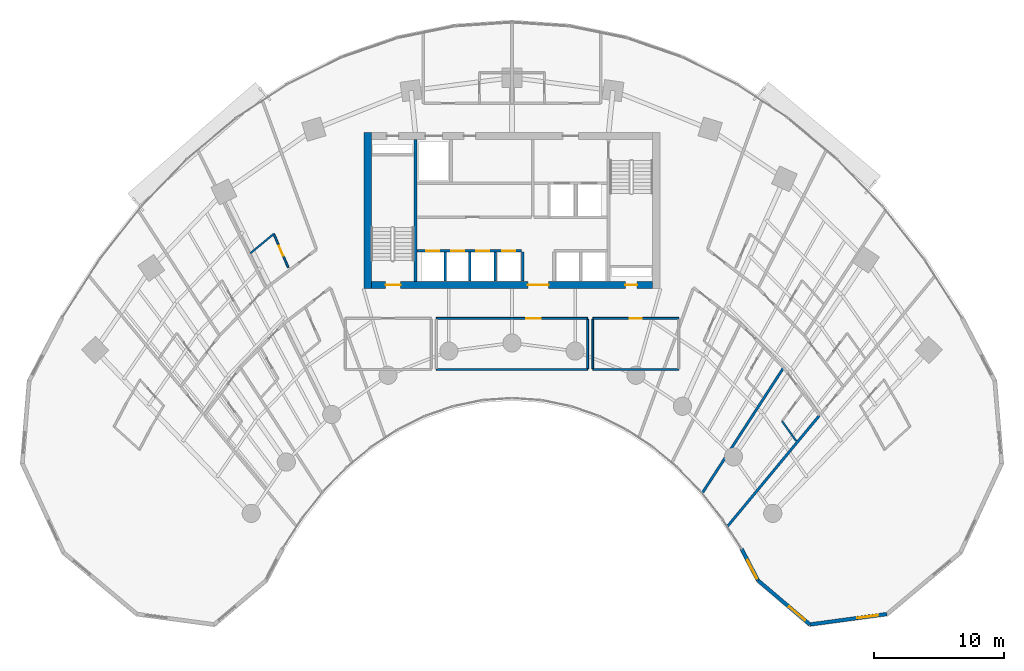
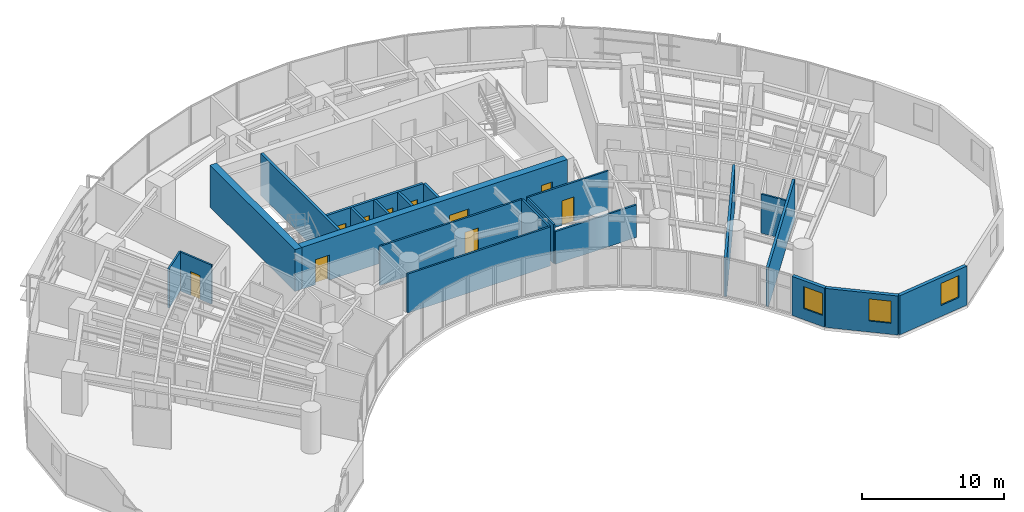
# One storey, part 12 of 18: 22 walls, 10 doors, 3 windows, 13 openings.
"""IFC4 building model written with IfcOpenShell, lengths in metres."""

from ifc_helpers import new_model, si_unit, direction, frame, frame_2d, origin, place, context, subcontext, project, spatial, rectangle, extrude, source, transform, mapped, material, layer, layer_set, type_object, type_shapes, element, fill, save


model = new_model("IFC4")

# Units and contexts
model_context = context("Model", 3, precision=1e-05, world=origin(), true_north=direction((0.0, 1.0)))
body_context = subcontext(model_context, "Body", "Model", "MODEL_VIEW")
ifc_project = project(units=[si_unit("LENGTHUNIT", "METRE"), si_unit("AREAUNIT", "SQUARE_METRE"), si_unit("VOLUMEUNIT", "CUBIC_METRE"), si_unit("PLANEANGLEUNIT", "RADIAN"), si_unit("MASSUNIT", "GRAM", prefix="KILO")], contexts=[model_context])

# Site, building, storey
site_placement = place(None, origin())
site = spatial("IfcSite", under=ifc_project, at=site_placement, CompositionType="ELEMENT")
building_placement = place(site_placement, origin())
building = spatial("IfcBuilding", under=site, at=building_placement, Name="Breltana Convention Tower", CompositionType="ELEMENT")
storey_placement = place(building_placement, frame((0.0, 0.0, 35.39990234375)))
storey = spatial("IfcBuildingStorey", under=building, at=storey_placement, Name="L06", CompositionType="ELEMENT", Elevation=35.39990234375)

# Wall
ifc_material_1 = material(Name="Concrete C60/75", Category="concrete")
ifc_layer_1 = layer(ifc_material_1, 0.550048828125, Name="Concrete C60/75")
ifc_layer_set_1 = layer_set([ifc_layer_1], Name="Concrete C60/75")
wall_type_1 = type_object("IfcWallType", Name="SW-CORE-550", PredefinedType="SHEAR", material=ifc_layer_set_1)
shared_shape_1 = source(origin(), body_context, "Body", "SweptSolid", [
    extrude(rectangle(XDim=12.0, YDim=0.550048828125, at=frame_2d((6.0, 0.0))), origin(), (0.0, 0.0, 1.0), 3.60009765625),
])
wall_1_placement = place(storey_placement, frame((36.925048828125, 60.199951171875, 0.0), z_axis=(0.0, 0.0, 1.0), x_axis=(0.0, 1.0, 0.0)))
element("IfcWall", 1, at=wall_1_placement, inside=storey, type_object=wall_type_1, Name="L06 West Core Shear Wall", PredefinedType="SHEAR", context=body_context, shape_type="MappedRepresentation", body=[
    mapped(shared_shape_1, transform((0.0, 0.0, 0.0), scale=1.0)),
])

# Wall, openings, doors
shared_shape_2 = source(origin(), body_context, "Body", "SweptSolid", [
    extrude(rectangle(XDim=21.60009765625, YDim=0.550048828125, at=frame_2d((10.800048828125, 0.0))), origin(), (0.0, 0.0, 1.0), 3.60009765625),
])
wall_2_placement = place(storey_placement, frame((37.199951171875, 60.47509765625, 0.0), z_axis=(0.0, 0.0, 1.0), x_axis=(1.0, 0.0, 0.0)))
wall_2 = element("IfcWall", 2, at=wall_2_placement, inside=storey, type_object=wall_type_1, Name="L06 South Core Shear Wall", PredefinedType="SHEAR", context=body_context, shape_type="MappedRepresentation", body=[
    mapped(shared_shape_2, transform((0.0, 0.0, 0.0), scale=1.0)),
])
opening_1_placement = place(wall_2_placement, frame((1.10009765625, 0.0, 0.0)))
opening_1 = element("IfcOpeningElement", 3, at=opening_1_placement, cuts=wall_2, Name="Opening D-11", PredefinedType="OPENING", context=body_context, shape_type="SweptSolid", body=[
    extrude(rectangle(XDim=1.14990234375, YDim=2.14990234375, at=frame_2d((0.574951171875, 1.074951171875))), frame((0.0, 0.28515625, 0.0), z_axis=(0.0, -1.0, 0.0), x_axis=(1.0, 0.0, 0.0)), (0.0, 0.0, 1.0), 0.570068359375),
])
opening_2_placement = place(wall_2_placement, frame((19.5, 0.0, 0.0)))
opening_2 = element("IfcOpeningElement", 4, at=opening_2_placement, cuts=wall_2, Name="Opening D-18", PredefinedType="OPENING", context=body_context, shape_type="SweptSolid", body=[
    extrude(rectangle(XDim=0.89990234375, YDim=2.10009765625, at=frame_2d((0.449951171875, 1.050048828125))), frame((0.0, 0.28515625, 0.0), z_axis=(0.0, -1.0, 0.0), x_axis=(1.0, 0.0, 0.0)), (0.0, 0.0, 1.0), 0.570068359375),
])
opening_3_placement = place(wall_2_placement, frame((12.02001953125, 0.0, 0.0)))
opening_3 = element("IfcOpeningElement", 5, at=opening_3_placement, cuts=wall_2, Name="Opening D-02", PredefinedType="OPENING", context=body_context, shape_type="SweptSolid", body=[
    extrude(rectangle(XDim=1.60009765625, YDim=2.14990234375, at=frame_2d((0.800048828125, 1.074951171875))), frame((0.0, 0.28515625, 0.0), z_axis=(0.0, -1.0, 0.0), x_axis=(1.0, 0.0, 0.0)), (0.0, 0.0, 1.0), 0.570068359375),
])
ifc_material_2 = material(Name="Steel Stair Exit Door", Category="steel")
door_type_1 = type_object("IfcDoorType", Name="DR-FD120-1150", OperationType="NOTDEFINED", PredefinedType="DOOR", material=ifc_material_2)
shared_shape_3 = source(origin(), body_context, "Body", "SweptSolid", [
    extrude(rectangle(XDim=1.14990234375, YDim=2.14990234375, at=frame_2d((0.574951171875, 1.074951171875))), frame((0.0, 0.02490234375, 0.0), z_axis=(0.0, -1.0, 0.0), x_axis=(1.0, 0.0, 0.0)), (0.0, 0.0, 1.0), 0.050048828125),
])
type_shapes(door_type_1, [shared_shape_3])
door_1_placement = place(opening_1_placement, origin())
door_1 = element("IfcDoor", 6, at=door_1_placement, inside=storey, type_object=door_type_1, Name="L06 interior door D-L06-ST1", OperationType="SINGLE_SWING_LEFT", OverallHeight=2.14990234375, OverallWidth=1.14990234375, PredefinedType="DOOR", context=body_context, shape_type="MappedRepresentation", body=[
    mapped(shared_shape_3, transform((0.0, 0.0, 0.0), scale=1.0)),
])
fill(opening_1, door_1)
ifc_material_3 = material(Name="Steel Riser Fire Door", Category="steel")
door_type_2 = type_object("IfcDoorType", Name="DR-FD60-900", OperationType="NOTDEFINED", PredefinedType="DOOR", material=ifc_material_3)
shared_shape_4 = source(origin(), body_context, "Body", "SweptSolid", [
    extrude(rectangle(XDim=0.89990234375, YDim=2.10009765625, at=frame_2d((0.449951171875, 1.050048828125))), frame((0.0, 0.02490234375, 0.0), z_axis=(0.0, -1.0, 0.0), x_axis=(1.0, 0.0, 0.0)), (0.0, 0.0, 1.0), 0.050048828125),
])
type_shapes(door_type_2, [shared_shape_4])
door_2_placement = place(opening_2_placement, origin())
door_2 = element("IfcDoor", 7, at=door_2_placement, inside=storey, type_object=door_type_2, Name="L06 Core Riser Access Door D-L06-RS2", OperationType="SINGLE_SWING_RIGHT", OverallHeight=2.10009765625, OverallWidth=0.89990234375, PredefinedType="DOOR", context=body_context, shape_type="MappedRepresentation", body=[
    mapped(shared_shape_4, transform((0.0, 0.0, 0.0), scale=1.0)),
])
fill(opening_2, door_2)
ifc_material_4 = material(Name="Steel Glazed Smoke-Control Door", Category="steel")
door_type_3 = type_object("IfcDoorType", Name="DR-DBL-FD90-1600", OperationType="DOUBLE_DOOR_SINGLE_SWING", PredefinedType="DOOR", material=ifc_material_4)
shared_shape_5 = source(origin(), body_context, "Body", "SweptSolid", [
    extrude(rectangle(XDim=1.60009765625, YDim=2.14990234375, at=frame_2d((0.800048828125, 1.074951171875))), frame((0.0, 0.02490234375, 0.0), z_axis=(0.0, -1.0, 0.0), x_axis=(1.0, 0.0, 0.0)), (0.0, 0.0, 1.0), 0.050048828125),
])
type_shapes(door_type_3, [shared_shape_5])
door_3_placement = place(opening_3_placement, origin())
door_3 = element("IfcDoor", 8, at=door_3_placement, inside=storey, type_object=door_type_3, Name="L06 interior door D-L06-LLB-S", OperationType="DOUBLE_DOOR_SINGLE_SWING", OverallHeight=2.14990234375, OverallWidth=1.60009765625, PredefinedType="DOOR", context=body_context, shape_type="MappedRepresentation", body=[
    mapped(shared_shape_5, transform((0.0, 0.0, 0.0), scale=1.0)),
])
fill(opening_3, door_3)

# Wall
ifc_material_5 = material(Name="Concrete C50/60", Category="concrete")
ifc_layer_2 = layer(ifc_material_5, 0.39990234375, Name="Concrete C50/60")
ifc_layer_set_2 = layer_set([ifc_layer_2], Name="Concrete C50/60")
wall_type_2 = type_object("IfcWallType", Name="SW-CORE-400", PredefinedType="SHEAR", material=ifc_layer_set_2)
shared_shape_6 = source(origin(), body_context, "Body", "SweptSolid", [
    extrude(rectangle(XDim=10.89990234375, YDim=0.219970703125, at=frame_2d((5.449951171875, 0.0))), origin(), (0.0, 0.0, 1.0), 3.60009765625),
])
wall_3_placement = place(storey_placement, frame((40.580078125, 60.75, 0.0), z_axis=(0.0, 0.0, 1.0), x_axis=(0.0, 1.0, 0.0)))
element("IfcWall", 9, at=wall_3_placement, inside=storey, type_object=wall_type_2, Name="L06 Core West Stair Spine Wall", PredefinedType="SHEAR", context=body_context, shape_type="MappedRepresentation", body=[
    mapped(shared_shape_6, transform((0.0, 0.0, 0.0), scale=1.0)),
])

# Wall, opening, window
ifc_material_6 = material(Name="Limestone Buff Insulated Wall", Category="masonry")
ifc_layer_3 = layer(ifc_material_6, 0.280029296875, Name="Limestone Buff Insulated Wall")
ifc_layer_set_3 = layer_set([ifc_layer_3], Name="Limestone Buff Insulated Wall")
wall_type_3 = type_object("IfcWallType", Name="WL-EXT-NOSE-280", PredefinedType="SOLIDWALL", material=ifc_layer_set_3)
shared_shape_7 = source(origin(), body_context, "Body", "SweptSolid", [
    extrude(rectangle(XDim=5.96728515625, YDim=0.280029296875, at=frame_2d((2.983642578125, 0.0))), origin(), (0.0, 0.0, 1.0), 3.360107421875),
])
wall_4_placement = place(storey_placement, frame((76.77734375, 35.226806640625, 0.0), z_axis=(0.0, 0.0, 1.0), x_axis=(-0.990927009341, -0.134401124099, 0.0)))
wall_4 = element("IfcWall", 10, at=wall_4_placement, inside=storey, type_object=wall_type_3, Name="L06 curved limestone nose wall E4", PredefinedType="SOLIDWALL", context=body_context, shape_type="MappedRepresentation", body=[
    mapped(shared_shape_7, transform((0.0, 0.0, 0.0), scale=1.0)),
])
opening_4_placement = place(wall_4_placement, frame((0.69189453125, 0.0, 0.949951171875)))
opening_4 = element("IfcOpeningElement", 11, at=opening_4_placement, cuts=wall_4, Name="Opening W-04", PredefinedType="OPENING", context=body_context, shape_type="SweptSolid", body=[
    extrude(rectangle(XDim=1.60009765625, YDim=1.89990234375, at=frame_2d((0.800048828125, 0.949951171875))), frame((0.0, 0.14990234375, 0.0), z_axis=(0.0, -1.0, 0.0), x_axis=(1.0, 0.0, 0.0)), (0.0, 0.0, 1.0), 0.300048828125),
])
ifc_material_7 = material(Name="Glass Low-E Insulated Window", Category="glass")
window_type = type_object("IfcWindowType", Name="WN-NOSE-1600X1900", PartitioningType="SINGLE_PANEL", PredefinedType="WINDOW", material=ifc_material_7)
shared_shape_8 = source(origin(), body_context, "Body", "SweptSolid", [
    extrude(rectangle(XDim=1.60009765625, YDim=1.89990234375, at=frame_2d((0.800048828125, 0.949951171875))), frame((0.0, 0.030029296875, 0.0), z_axis=(0.0, -1.0, 0.0), x_axis=(1.0, 0.0, 0.0)), (0.0, 0.0, 1.0), 0.06005859375),
])
type_shapes(window_type, [shared_shape_8])
window_1_placement = place(opening_4_placement, origin())
window_1 = element("IfcWindow", 12, at=window_1_placement, inside=storey, type_object=window_type, Name="L06 nose window E4", OverallHeight=1.89990234375, OverallWidth=1.60009765625, PartitioningType="SINGLE_PANEL", PredefinedType="WINDOW", context=body_context, shape_type="MappedRepresentation", body=[
    mapped(shared_shape_8, transform((0.0, 0.0, 0.0), scale=1.0)),
])
fill(opening_4, window_1)

shared_shape_9 = source(origin(), body_context, "Body", "SweptSolid", [
    extrude(rectangle(XDim=5.222412109375, YDim=0.280029296875, at=frame_2d((2.611328125, 0.0))), origin(), (0.0, 0.0, 1.0), 3.360107421875),
])
wall_5_placement = place(storey_placement, frame((70.8642578125, 34.4248046875, 0.0), z_axis=(0.0, 0.0, 1.0), x_axis=(-0.761900099546, 0.647694556339, 0.0)))
wall_5 = element("IfcWall", 13, at=wall_5_placement, inside=storey, type_object=wall_type_3, Name="L06 curved limestone nose wall E5", PredefinedType="SOLIDWALL", context=body_context, shape_type="MappedRepresentation", body=[
    mapped(shared_shape_9, transform((0.0, 0.0, 0.0), scale=1.0)),
])
opening_5_placement = place(wall_5_placement, frame((0.505615234375, 0.0, 0.949951171875)))
opening_5 = element("IfcOpeningElement", 14, at=opening_5_placement, cuts=wall_5, Name="Opening W-04", PredefinedType="OPENING", context=body_context, shape_type="SweptSolid", body=[
    extrude(rectangle(XDim=1.60009765625, YDim=1.89990234375, at=frame_2d((0.800048828125, 0.949951171875))), frame((0.0, 0.14990234375, 0.0), z_axis=(0.0, -1.0, 0.0), x_axis=(1.0, 0.0, 0.0)), (0.0, 0.0, 1.0), 0.300048828125),
])
window_2_placement = place(opening_5_placement, origin())
window_2 = element("IfcWindow", 15, at=window_2_placement, inside=storey, type_object=window_type, Name="L06 nose window E5", OverallHeight=1.89990234375, OverallWidth=1.60009765625, PartitioningType="SINGLE_PANEL", PredefinedType="WINDOW", context=body_context, shape_type="MappedRepresentation", body=[
    mapped(shared_shape_8, transform((0.0, 0.0, 0.0), scale=1.0)),
])
fill(opening_5, window_2)

shared_shape_10 = source(origin(), body_context, "Body", "SweptSolid", [
    extrude(rectangle(XDim=2.7353515625, YDim=0.280029296875, at=frame_2d((1.36767578125, 0.0))), origin(), (0.0, 0.0, 1.0), 3.360107421875),
])
wall_6_placement = place(storey_placement, frame((66.88525390625, 37.807373046875, 0.0), z_axis=(0.0, 0.0, 1.0), x_axis=(-0.46179107292, 0.886988728774, 0.0)))
wall_6 = element("IfcWall", 16, at=wall_6_placement, inside=storey, type_object=wall_type_3, Name="L06 curved limestone nose wall E6", PredefinedType="SOLIDWALL", context=body_context, shape_type="MappedRepresentation", body=[
    mapped(shared_shape_10, transform((0.0, 0.0, 0.0), scale=1.0)),
])
opening_6_placement = place(wall_6_placement, frame((0.159912109375, 0.0, 0.949951171875)))
opening_6 = element("IfcOpeningElement", 17, at=opening_6_placement, cuts=wall_6, Name="Opening W-04", PredefinedType="OPENING", context=body_context, shape_type="SweptSolid", body=[
    extrude(rectangle(XDim=1.60009765625, YDim=1.89990234375, at=frame_2d((0.800048828125, 0.949951171875))), frame((0.0, 0.14990234375, 0.0), z_axis=(0.0, -1.0, 0.0), x_axis=(1.0, 0.0, 0.0)), (0.0, 0.0, 1.0), 0.300048828125),
])
window_3_placement = place(opening_6_placement, origin())
window_3 = element("IfcWindow", 18, at=window_3_placement, inside=storey, type_object=window_type, Name="L06 nose window E6", OverallHeight=1.89990234375, OverallWidth=1.60009765625, PartitioningType="SINGLE_PANEL", PredefinedType="WINDOW", context=body_context, shape_type="MappedRepresentation", body=[
    mapped(shared_shape_8, transform((0.0, 0.0, 0.0), scale=1.0)),
])
fill(opening_6, window_3)

# Wall
ifc_material_8 = material(Name="Autoclaved Aerated Concrete Block", Category="concrete")
ifc_layer_4 = layer(ifc_material_8, 0.199951171875, Name="Autoclaved Aerated Concrete Block")
ifc_layer_set_4 = layer_set([ifc_layer_4], Name="Autoclaved Aerated Concrete Block")
wall_type_4 = type_object("IfcWallType", Name="WL-SHAFT-200", PredefinedType="SOLIDWALL", material=ifc_layer_set_4)
shared_shape_11 = source(origin(), body_context, "Body", "SweptSolid", [
    extrude(rectangle(XDim=2.239990234375, YDim=0.199951171875, at=frame_2d((1.1201171875, 0.0))), origin(), (0.0, 0.0, 1.0), 3.360107421875),
])
wall_7_placement = place(storey_placement, frame((48.820068359375, 60.780029296875, 0.0), z_axis=(0.0, 0.0, 1.0), x_axis=(0.0, 1.0, 0.0)))
element("IfcWall", 19, at=wall_7_placement, inside=storey, type_object=wall_type_4, Name="L06 interior partition W-L06-PORT-W", PredefinedType="SOLIDWALL", context=body_context, shape_type="MappedRepresentation", body=[
    mapped(shared_shape_11, transform((0.0, 0.0, 0.0), scale=1.0)),
])

# Wall, openings, doors
shared_shape_12 = source(origin(), body_context, "Body", "SweptSolid", [
    extrude(rectangle(XDim=8.02001953125, YDim=0.199951171875, at=frame_2d((4.010009765625, 0.0))), origin(), (0.0, 0.0, 1.0), 3.360107421875),
])
wall_8_placement = place(storey_placement, frame((40.699951171875, 63.10009765625, 0.0), z_axis=(0.0, 0.0, 1.0), x_axis=(1.0, 0.0, 0.0)))
wall_8 = element("IfcWall", 20, at=wall_8_placement, inside=storey, type_object=wall_type_4, Name="L06 interior partition W-L06-SH-S-FRONT", PredefinedType="SOLIDWALL", context=body_context, shape_type="MappedRepresentation", body=[
    mapped(shared_shape_12, transform((0.0, 0.0, 0.0), scale=1.0)),
])
opening_7_placement = place(wall_8_placement, frame((0.719970703125, 0.0, 0.0)))
opening_7 = element("IfcOpeningElement", 21, at=opening_7_placement, cuts=wall_8, Name="Opening LD-04", PredefinedType="OPENING", context=body_context, shape_type="SweptSolid", body=[
    extrude(rectangle(XDim=1.0, YDim=2.14990234375, at=frame_2d((0.5, 1.074951171875))), frame((0.0, 0.10986328125, 0.0), z_axis=(0.0, -1.0, 0.0), x_axis=(1.0, 0.0, 0.0)), (0.0, 0.0, 1.0), 0.219970703125),
])
opening_8_placement = place(wall_8_placement, frame((2.6201171875, 0.0, 0.0)))
opening_8 = element("IfcOpeningElement", 22, at=opening_8_placement, cuts=wall_8, Name="Opening LD-04", PredefinedType="OPENING", context=body_context, shape_type="SweptSolid", body=[
    extrude(rectangle(XDim=1.0, YDim=2.14990234375, at=frame_2d((0.5, 1.074951171875))), frame((0.0, 0.10986328125, 0.0), z_axis=(0.0, -1.0, 0.0), x_axis=(1.0, 0.0, 0.0)), (0.0, 0.0, 1.0), 0.219970703125),
])
opening_9_placement = place(wall_8_placement, frame((4.550048828125, 0.0, 0.0)))
opening_9 = element("IfcOpeningElement", 23, at=opening_9_placement, cuts=wall_8, Name="Opening LD-04", PredefinedType="OPENING", context=body_context, shape_type="SweptSolid", body=[
    extrude(rectangle(XDim=1.0, YDim=2.14990234375, at=frame_2d((0.5, 1.074951171875))), frame((0.0, 0.10986328125, 0.0), z_axis=(0.0, -1.0, 0.0), x_axis=(1.0, 0.0, 0.0)), (0.0, 0.0, 1.0), 0.219970703125),
])
opening_10_placement = place(wall_8_placement, frame((6.550048828125, 0.0, 0.0)))
opening_10 = element("IfcOpeningElement", 24, at=opening_10_placement, cuts=wall_8, Name="Opening LD-04", PredefinedType="OPENING", context=body_context, shape_type="SweptSolid", body=[
    extrude(rectangle(XDim=1.0, YDim=2.14990234375, at=frame_2d((0.5, 1.074951171875))), frame((0.0, 0.10986328125, 0.0), z_axis=(0.0, -1.0, 0.0), x_axis=(1.0, 0.0, 0.0)), (0.0, 0.0, 1.0), 0.219970703125),
])
ifc_material_9 = material(Name="Stainless Steel Brushed", Category="steel")
door_type_4 = type_object("IfcDoorType", Name="DR-LD-PAX-1000", OperationType="DOUBLE_DOOR_SLIDING", PredefinedType="DOOR", material=ifc_material_9)
shared_shape_13 = source(origin(), body_context, "Body", "SweptSolid", [
    extrude(rectangle(XDim=1.0, YDim=2.14990234375, at=frame_2d((0.5, 1.074951171875))), frame((0.0, 0.02490234375, 0.0), z_axis=(0.0, -1.0, 0.0), x_axis=(1.0, 0.0, 0.0)), (0.0, 0.0, 1.0), 0.050048828125),
])
type_shapes(door_type_4, [shared_shape_13])
door_4_placement = place(opening_7_placement, origin())
door_4 = element("IfcDoor", 25, at=door_4_placement, inside=storey, type_object=door_type_4, Name="L06 Lift Landing Door D-L06-LD-S1", OperationType="DOUBLE_DOOR_SLIDING", OverallHeight=2.14990234375, OverallWidth=1.0, PredefinedType="DOOR", context=body_context, shape_type="MappedRepresentation", body=[
    mapped(shared_shape_13, transform((0.0, 0.0, 0.0), scale=1.0)),
])
fill(opening_7, door_4)
door_5_placement = place(opening_8_placement, origin())
door_5 = element("IfcDoor", 26, at=door_5_placement, inside=storey, type_object=door_type_4, Name="L06 Lift Landing Door D-L06-LD-S2", OperationType="DOUBLE_DOOR_SLIDING", OverallHeight=2.14990234375, OverallWidth=1.0, PredefinedType="DOOR", context=body_context, shape_type="MappedRepresentation", body=[
    mapped(shared_shape_13, transform((0.0, 0.0, 0.0), scale=1.0)),
])
fill(opening_8, door_5)
door_6_placement = place(opening_9_placement, origin())
door_6 = element("IfcDoor", 27, at=door_6_placement, inside=storey, type_object=door_type_4, Name="L06 Lift Landing Door D-L06-LD-S3", OperationType="DOUBLE_DOOR_SLIDING", OverallHeight=2.14990234375, OverallWidth=1.0, PredefinedType="DOOR", context=body_context, shape_type="MappedRepresentation", body=[
    mapped(shared_shape_13, transform((0.0, 0.0, 0.0), scale=1.0)),
])
fill(opening_9, door_6)
door_7_placement = place(opening_10_placement, origin())
door_7 = element("IfcDoor", 28, at=door_7_placement, inside=storey, type_object=door_type_4, Name="L06 Lift Landing Door D-L06-LD-S4", OperationType="DOUBLE_DOOR_SLIDING", OverallHeight=2.14990234375, OverallWidth=1.0, PredefinedType="DOOR", context=body_context, shape_type="MappedRepresentation", body=[
    mapped(shared_shape_13, transform((0.0, 0.0, 0.0), scale=1.0)),
])
fill(opening_10, door_7)

# Walls
shared_shape_14 = source(origin(), body_context, "Body", "SweptSolid", [
    extrude(rectangle(XDim=2.199951171875, YDim=0.199951171875, at=frame_2d((1.10009765625, 0.0))), origin(), (0.0, 0.0, 1.0), 3.360107421875),
])
for number, where, z_axis, x_axis, name in (
    (29, (42.8701171875, 60.800048828125, 0.0), (0.0, 0.0, 1.0), (0.0, 1.0, 0.0), "L06 interior partition W-L06-SH-S-DIV1"),
    (30, (44.77001953125, 60.800048828125, 0.0), (0.0, 0.0, 1.0), (0.0, 1.0, 0.0), "L06 interior partition W-L06-SH-S-DIV2"),
    (31, (46.699951171875, 60.800048828125, 0.0), (0.0, 0.0, 1.0), (0.0, 1.0, 0.0), "L06 interior partition W-L06-SH-S-DIV3"),
):
    element("IfcWall", number, at=place(storey_placement, frame(where, z_axis=z_axis, x_axis=x_axis)), inside=storey, type_object=wall_type_4, Name=name, PredefinedType="SOLIDWALL", context=body_context, shape_type="MappedRepresentation", body=[
        mapped(shared_shape_14, transform((0.0, 0.0, 0.0), scale=1.0)),
    ])
ifc_material_10 = material(Name="Gypsum Acoustic Drywall Partition")
ifc_layer_5 = layer(ifc_material_10, 0.14990234375, Name="Gypsum Acoustic Drywall Partition")
ifc_layer_set_5 = layer_set([ifc_layer_5], Name="Gypsum Acoustic Drywall Partition")
wall_type_5 = type_object("IfcWallType", Name="WL-PART-150", PredefinedType="PARTITIONING", material=ifc_layer_set_5)
shared_shape_15 = source(origin(), body_context, "Body", "SweptSolid", [
    extrude(rectangle(XDim=6.60009765625, YDim=0.14990234375, at=frame_2d((3.300048828125, 0.0))), origin(), (0.0, 0.0, 1.0), 2.802978515625),
])
wall_9_placement = place(storey_placement, frame((54.199951171875, 54.0, 0.0), z_axis=(0.0, 0.0, 1.0), x_axis=(1.0, 0.0, 0.0)))
element("IfcWall", 32, at=wall_9_placement, inside=storey, type_object=wall_type_5, Name="L06 interior partition W-L06-HMT-S", PredefinedType="PARTITIONING", context=body_context, shape_type="MappedRepresentation", body=[
    mapped(shared_shape_15, transform((0.0, 0.0, 0.0), scale=1.0)),
])

# Wall, opening, door
shared_shape_16 = source(origin(), body_context, "Body", "SweptSolid", [
    extrude(rectangle(XDim=6.60009765625, YDim=0.14990234375, at=frame_2d((3.300048828125, 0.0))), origin(), (0.0, 0.0, 1.0), 3.360107421875),
])
wall_10_placement = place(storey_placement, frame((54.199951171875, 57.919921875, 0.0), z_axis=(0.0, 0.0, 1.0), x_axis=(1.0, 0.0, 0.0)))
wall_10 = element("IfcWall", 33, at=wall_10_placement, inside=storey, type_object=wall_type_5, Name="L06 interior partition W-L06-HMT-N", PredefinedType="PARTITIONING", context=body_context, shape_type="MappedRepresentation", body=[
    mapped(shared_shape_16, transform((0.0, 0.0, 0.0), scale=1.0)),
])
opening_11_placement = place(wall_10_placement, frame((2.824951171875, 0.0, 0.0)))
opening_11 = element("IfcOpeningElement", 34, at=opening_11_placement, cuts=wall_10, Name="Opening D-17", PredefinedType="OPENING", context=body_context, shape_type="SweptSolid", body=[
    extrude(rectangle(XDim=0.949951171875, YDim=2.10009765625, at=frame_2d((0.47509765625, 1.050048828125))), frame((0.0, 0.0849609375, 0.0), z_axis=(0.0, -1.0, 0.0), x_axis=(1.0, 0.0, 0.0)), (0.0, 0.0, 1.0), 0.169921875),
])
ifc_material_11 = material(Name="Timber Oak Veneer Door", Category="wood")
door_type_5 = type_object("IfcDoorType", Name="DR-INT-950", OperationType="NOTDEFINED", PredefinedType="DOOR", material=ifc_material_11)
shared_shape_17 = source(origin(), body_context, "Body", "SweptSolid", [
    extrude(rectangle(XDim=0.949951171875, YDim=2.10009765625, at=frame_2d((0.47509765625, 1.050048828125))), frame((0.0, 0.02490234375, 0.0), z_axis=(0.0, -1.0, 0.0), x_axis=(1.0, 0.0, 0.0)), (0.0, 0.0, 1.0), 0.050048828125),
])
type_shapes(door_type_5, [shared_shape_17])
door_8_placement = place(opening_11_placement, origin())
door_8 = element("IfcDoor", 35, at=door_8_placement, inside=storey, type_object=door_type_5, Name="L06 interior door D-L06-HMT", OperationType="SINGLE_SWING_RIGHT", OverallHeight=2.10009765625, OverallWidth=0.949951171875, PredefinedType="DOOR", context=body_context, shape_type="MappedRepresentation", body=[
    mapped(shared_shape_17, transform((0.0, 0.0, 0.0), scale=1.0)),
])
fill(opening_11, door_8)

# Walls
shared_shape_18 = source(origin(), body_context, "Body", "SweptSolid", [
    extrude(rectangle(XDim=3.78515625, YDim=0.14990234375, at=frame_2d((1.892578125, 0.0))), origin(), (0.0, 0.0, 1.0), 3.360107421875),
])
for number, where, z_axis, x_axis, name in (
    (36, (53.800048828125, 54.0673828125, 0.0), (0.0, 0.0, 1.0), (0.0, 1.0, 0.0), "L06 interior partition W-L06-HLG-E"),
    (37, (54.199951171875, 54.0673828125, 0.0), (0.0, 0.0, 1.0), (0.0, 1.0, 0.0), "L06 interior partition W-L06-HMT-W"),
):
    element("IfcWall", number, at=place(storey_placement, frame(where, z_axis=z_axis, x_axis=x_axis)), inside=storey, type_object=wall_type_5, Name=name, PredefinedType="PARTITIONING", context=body_context, shape_type="MappedRepresentation", body=[
        mapped(shared_shape_18, transform((0.0, 0.0, 0.0), scale=1.0)),
    ])
shared_shape_19 = source(origin(), body_context, "Body", "SweptSolid", [
    extrude(rectangle(XDim=11.60009765625, YDim=0.14990234375, at=frame_2d((5.800048828125, 0.0))), origin(), (0.0, 0.0, 1.0), 3.360107421875),
])
wall_11_placement = place(storey_placement, frame((42.199951171875, 54.0, 0.0), z_axis=(0.0, 0.0, 1.0), x_axis=(1.0, 0.0, 0.0)))
element("IfcWall", 38, at=wall_11_placement, inside=storey, type_object=wall_type_5, Name="L06 interior partition W-L06-HLG-S", PredefinedType="PARTITIONING", context=body_context, shape_type="MappedRepresentation", body=[
    mapped(shared_shape_19, transform((0.0, 0.0, 0.0), scale=1.0)),
])

# Wall, opening, door
wall_12_placement = place(storey_placement, frame((42.199951171875, 57.919921875, 0.0), z_axis=(0.0, 0.0, 1.0), x_axis=(1.0, 0.0, 0.0)))
wall_12 = element("IfcWall", 39, at=wall_12_placement, inside=storey, type_object=wall_type_5, Name="L06 interior partition W-L06-HLG-N", PredefinedType="PARTITIONING", context=body_context, shape_type="MappedRepresentation", body=[
    mapped(shared_shape_19, transform((0.0, 0.0, 0.0), scale=1.0)),
])
opening_12_placement = place(wall_12_placement, frame((6.89990234375, 0.0, 0.0)))
opening_12 = element("IfcOpeningElement", 40, at=opening_12_placement, cuts=wall_12, Name="Opening D-12", PredefinedType="OPENING", context=body_context, shape_type="SweptSolid", body=[
    extrude(rectangle(XDim=1.10009765625, YDim=2.14990234375, at=frame_2d((0.550048828125, 1.074951171875))), frame((0.0, 0.0849609375, 0.0), z_axis=(0.0, -1.0, 0.0), x_axis=(1.0, 0.0, 0.0)), (0.0, 0.0, 1.0), 0.169921875),
])
ifc_material_12 = material(Name="Timber Oak Acoustic Door", Category="wood")
door_type_6 = type_object("IfcDoorType", Name="DR-INT-1100", OperationType="NOTDEFINED", PredefinedType="DOOR", material=ifc_material_12)
shared_shape_20 = source(origin(), body_context, "Body", "SweptSolid", [
    extrude(rectangle(XDim=1.10009765625, YDim=2.14990234375, at=frame_2d((0.550048828125, 1.074951171875))), frame((0.0, 0.02490234375, 0.0), z_axis=(0.0, -1.0, 0.0), x_axis=(1.0, 0.0, 0.0)), (0.0, 0.0, 1.0), 0.050048828125),
])
type_shapes(door_type_6, [shared_shape_20])
door_9_placement = place(opening_12_placement, origin())
door_9 = element("IfcDoor", 41, at=door_9_placement, inside=storey, type_object=door_type_6, Name="L06 interior door D-L06-HLG", OperationType="SINGLE_SWING_LEFT", OverallHeight=2.14990234375, OverallWidth=1.10009765625, PredefinedType="DOOR", context=body_context, shape_type="MappedRepresentation", body=[
    mapped(shared_shape_20, transform((0.0, 0.0, 0.0), scale=1.0)),
])
fill(opening_12, door_9)

# Walls
ifc_material_13 = material(Name="Gypsum Acoustic Hotel Wall")
ifc_layer_6 = layer(ifc_material_13, 0.195068359375, Name="Gypsum Acoustic Hotel Wall")
ifc_layer_set_6 = layer_set([ifc_layer_6], Name="Gypsum Acoustic Hotel Wall")
wall_type_6 = type_object("IfcWallType", Name="WL-HOTEL-200", PredefinedType="PARTITIONING", material=ifc_layer_set_6)
shared_shape_21 = source(origin(), body_context, "Body", "SweptSolid", [
    extrude(rectangle(XDim=11.05322265625, YDim=0.195068359375, at=frame_2d((5.526611328125, 0.0))), origin(), (0.0, 0.0, 1.0), 3.360107421875),
])
wall_13_placement = place(storey_placement, frame((64.533935546875, 41.948974609375, 0.0), z_axis=(0.0, 0.0, 1.0), x_axis=(0.638131235571, 0.769927611005, 0.0)))
element("IfcWall", 42, at=wall_13_placement, inside=storey, type_object=wall_type_6, Name="L06 interior partition W-L06-HK12-RB", PredefinedType="PARTITIONING", context=body_context, shape_type="MappedRepresentation", body=[
    mapped(shared_shape_21, transform((0.0, 0.0, 0.0), scale=1.0)),
])
shared_shape_22 = source(origin(), body_context, "Body", "SweptSolid", [
    extrude(rectangle(XDim=11.4287109375, YDim=0.195068359375, at=frame_2d((5.71435546875, 0.0))), origin(), (0.0, 0.0, 1.0), 3.360107421875),
])
wall_14_placement = place(storey_placement, frame((62.603515625, 44.510986328125, 0.0), z_axis=(0.0, 0.0, 1.0), x_axis=(0.544215487077, 0.838945471187, 0.0)))
element("IfcWall", 43, at=wall_14_placement, inside=storey, type_object=wall_type_6, Name="L06 interior partition W-L06-HK10-RB", PredefinedType="PARTITIONING", context=body_context, shape_type="MappedRepresentation", body=[
    mapped(shared_shape_22, transform((0.0, 0.0, 0.0), scale=1.0)),
])
ifc_material_14 = material(Name="Moisture-Resistant En-Suite Partition")
ifc_layer_7 = layer(ifc_material_14, 0.139892578125, Name="Moisture-Resistant En-Suite Partition")
ifc_layer_set_7 = layer_set([ifc_layer_7], Name="Moisture-Resistant En-Suite Partition")
wall_type_7 = type_object("IfcWallType", Name="WL-WET-150", PredefinedType="PARTITIONING", material=ifc_layer_set_7)
shared_shape_23 = source(origin(), body_context, "Body", "SweptSolid", [
    extrude(rectangle(XDim=1.883544921875, YDim=0.139892578125, at=frame_2d((0.94189453125, 0.0))), origin(), (0.0, 0.0, 1.0), 3.360107421875),
])
wall_15_placement = place(storey_placement, frame((68.7294921875, 50.031005859375, 0.0), z_axis=(0.0, 0.0, 1.0), x_axis=(0.580833492897, -0.814022391295, 0.0)))
element("IfcWall", 44, at=wall_15_placement, inside=storey, type_object=wall_type_7, Name="L06 interior partition W-L06-HK12E-BK", PredefinedType="PARTITIONING", context=body_context, shape_type="MappedRepresentation", body=[
    mapped(shared_shape_23, transform((0.0, 0.0, 0.0), scale=1.0)),
])
shared_shape_24 = source(origin(), body_context, "Body", "SweptSolid", [
    extrude(rectangle(XDim=2.324462890625, YDim=0.139892578125, at=frame_2d((1.162109375, 0.0))), origin(), (0.0, 0.0, 1.0), 3.360107421875),
])
wall_16_placement = place(storey_placement, frame((27.922607421875, 62.92578125, 0.0), z_axis=(0.0, 0.0, 1.0), x_axis=(0.770746444956, 0.637141991701, 0.0)))
element("IfcWall", 45, at=wall_16_placement, inside=storey, type_object=wall_type_7, Name="L06 interior partition W-L06-HK05E-BK", PredefinedType="PARTITIONING", context=body_context, shape_type="MappedRepresentation", body=[
    mapped(shared_shape_24, transform((0.0, 0.0, 0.0), scale=1.0)),
])

# Wall, opening, door
shared_shape_25 = source(origin(), body_context, "Body", "SweptSolid", [
    extrude(rectangle(XDim=2.817626953125, YDim=0.139892578125, at=frame_2d((1.40869140625, 0.0))), origin(), (0.0, 0.0, 1.0), 3.360107421875),
])
wall_17_placement = place(storey_placement, frame((30.82958984375, 61.8193359375, 0.0), z_axis=(0.0, 0.0, 1.0), x_axis=(-0.395894859341, 0.918295845764, 0.0)))
wall_17 = element("IfcWall", 46, at=wall_17_placement, inside=storey, type_object=wall_type_7, Name="L06 interior partition W-L06-HK05E-SD", PredefinedType="PARTITIONING", context=body_context, shape_type="MappedRepresentation", body=[
    mapped(shared_shape_25, transform((0.0, 0.0, 0.0), scale=1.0)),
])
opening_13_placement = place(wall_17_placement, frame((0.98388671875, 0.0, 0.0)))
opening_13 = element("IfcOpeningElement", 47, at=opening_13_placement, cuts=wall_17, Name="Opening D-21", PredefinedType="OPENING", context=body_context, shape_type="SweptSolid", body=[
    extrude(rectangle(XDim=0.85009765625, YDim=2.050048828125, at=frame_2d((0.425048828125, 1.02490234375))), frame((0.0, 0.080078125, 0.0), z_axis=(0.0, -1.0, 0.0), x_axis=(1.0, 0.0, 0.0)), (0.0, 0.0, 1.0), 0.159912109375),
])
ifc_material_15 = material(Name="Timber Moisture-Resistant En-Suite Door", Category="wood")
door_type_7 = type_object("IfcDoorType", Name="DR-WET-850", OperationType="NOTDEFINED", PredefinedType="DOOR", material=ifc_material_15)
shared_shape_26 = source(origin(), body_context, "Body", "SweptSolid", [
    extrude(rectangle(XDim=0.85009765625, YDim=2.050048828125, at=frame_2d((0.425048828125, 1.02490234375))), frame((0.0, 0.02490234375, 0.0), z_axis=(0.0, -1.0, 0.0), x_axis=(1.0, 0.0, 0.0)), (0.0, 0.0, 1.0), 0.050048828125),
])
type_shapes(door_type_7, [shared_shape_26])
door_10_placement = place(opening_13_placement, origin())
door_10 = element("IfcDoor", 48, at=door_10_placement, inside=storey, type_object=door_type_7, Name="L06 interior door D-L06-HK05E", OperationType="SINGLE_SWING_RIGHT", OverallHeight=2.050048828125, OverallWidth=0.85009765625, PredefinedType="DOOR", context=body_context, shape_type="MappedRepresentation", body=[
    mapped(shared_shape_26, transform((0.0, 0.0, 0.0), scale=1.0)),
])
fill(opening_13, door_10)

save(model, "model.ifc")
